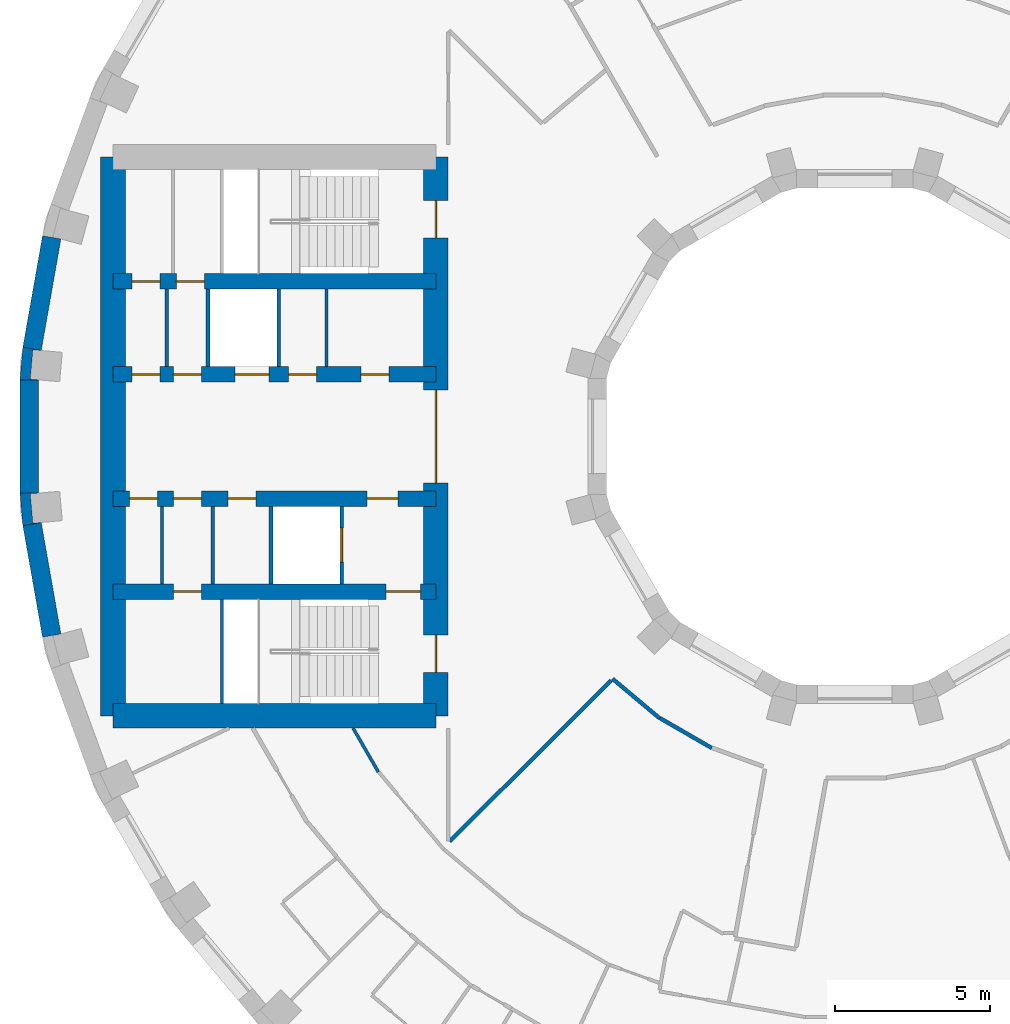
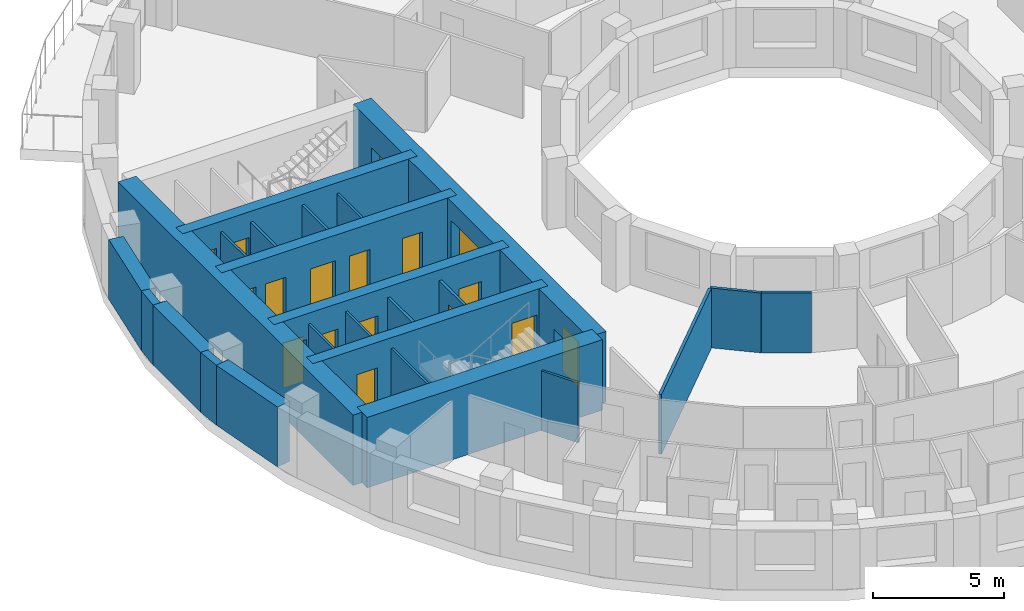
# One storey, part 6 of 14: 25 walls, 17 doors, 17 openings.
"""IFC4 building model written with IfcOpenShell, lengths in metres."""

from ifc_helpers import new_model, si_unit, direction, frame, frame_2d, origin, place, context, subcontext, project, spatial, polyline, rectangle, outline, extrude, material, layer, layer_set, type_object, element, fill, save


model = new_model("IFC4")

# Units and contexts
model_context = context("Model", 3, precision=1e-05, world=origin(), true_north=direction((0.0, 1.0)))
body_context = subcontext(model_context, "Body", "Model", "MODEL_VIEW")
ifc_project = project(units=[si_unit("LENGTHUNIT", "METRE"), si_unit("AREAUNIT", "SQUARE_METRE"), si_unit("VOLUMEUNIT", "CUBIC_METRE"), si_unit("PLANEANGLEUNIT", "RADIAN"), si_unit("MASSUNIT", "GRAM", prefix="KILO")], contexts=[model_context])

# Site, building, storey
site_placement = place(None, origin())
site = spatial("IfcSite", under=ifc_project, at=site_placement, CompositionType="ELEMENT")
building_placement = place(site_placement, origin())
building = spatial("IfcBuilding", under=site, at=building_placement, Name="Saqina Gate Tower", CompositionType="ELEMENT")
storey_placement = place(building_placement, frame((0.0, 0.0, 91.89990234375)))
storey = spatial("IfcBuildingStorey", under=building, at=storey_placement, Name="L25", CompositionType="ELEMENT", Elevation=91.89990234375)

# Walls
ifc_material_1 = material(Name="Brick masonry (buff)", Category="masonry")
wall_type_1 = type_object("IfcWallType", Name="BRICK PIER COPING BUFF", PredefinedType="SOLIDWALL", material=ifc_material_1)
wall_1_placement = place(storey_placement, origin())
element("IfcWall", 1, at=wall_1_placement, inside=storey, type_object=wall_type_1, Name="Pier cap L25 column 18", PredefinedType="SOLIDWALL", context=body_context, shape_type="SweptSolid", body=[
    extrude(outline(polyline([(-26.805419921875, 2.87451171875), (-26.897216796875, 1.823974609375), (-26.29736328125, 1.823974609375), (-26.565185546875, 1.847412109375), (-26.482421875, 2.793701171875), (-26.214599609375, 2.770263671875), (-26.805419921875, 2.87451171875)])), origin(), (0.0, 0.0, 1.0), 2.800048828125),
])
wall_2_placement = place(storey_placement, origin())
element("IfcWall", 2, at=wall_2_placement, inside=storey, type_object=wall_type_1, Name="Pier cap L25 column 19", PredefinedType="SOLIDWALL", context=body_context, shape_type="SweptSolid", body=[
    extrude(outline(polyline([(-26.805419921875, -2.87451171875), (-26.214599609375, -2.770263671875), (-26.482421875, -2.793701171875), (-26.565185546875, -1.847412109375), (-26.29736328125, -1.823974609375), (-26.897216796875, -1.823974609375), (-26.805419921875, -2.87451171875)])), origin(), (0.0, 0.0, 1.0), 2.800048828125),
])
ifc_material_2 = material(Name="Gypsum board on steel studs", Category="steel")
ifc_layer_1 = layer(ifc_material_2, 0.10009765625)
ifc_layer_set_1 = layer_set([ifc_layer_1], Name="CORE PARTITION")
wall_type_2 = type_object("IfcWallType", Name="CORE PARTITION", PredefinedType="PARTITIONING", material=ifc_layer_set_1)
for number, where, z_axis, x_axis, name in (
    (3, (-17.022216796875, 2.25, 0.0), (0.0, 0.0, 1.0), (0.0, 1.0, 0.0), "L25-CP-W01"),
    (4, (-22.169921875, 2.25, 0.0), (0.0, 0.0, 1.0), (0.0, 1.0, 0.0), "L25-CP-W04"),
    (5, (-20.68603515625, -4.75, 0.0), (0.0, 0.0, 1.0), (0.0, 1.0, 0.0), "L25-CP-W07"),
    (6, (-22.327392578125, -4.75, 0.0), (0.0, 0.0, 1.0), (0.0, 1.0, 0.0), "L25-CP-W08"),
):
    element("IfcWall", number, at=place(storey_placement, frame(where, z_axis=z_axis, x_axis=x_axis)), inside=storey, type_object=wall_type_2, Name=name, PredefinedType="PARTITIONING", context=body_context, shape_type="SweptSolid", body=[
        extrude(rectangle(XDim=2.5, YDim=0.10009765625, at=frame_2d((1.25, 0.0))), origin(), (0.0, 0.0, 1.0), 2.800048828125),
    ])
ifc_material_3 = material(Name="Glazed ceramic tile", Category="ceramic")
ifc_layer_2 = layer(ifc_material_3, 0.60009765625)
ifc_layer_set_2 = layer_set([ifc_layer_2], Name="FW-TILE")
wall_type_3 = type_object("IfcWallType", Name="FW-TILE", PredefinedType="SOLIDWALL", material=ifc_layer_set_2)
wall_3_placement = place(storey_placement, frame((-26.59716796875, 1.823974609375, 0.0), z_axis=(0.0, 0.0, 1.0), x_axis=(0.0, -1.0, 0.0)))
element("IfcWall", 7, at=wall_3_placement, inside=storey, type_object=wall_type_3, Name="Facade wall L25 facet 18", PredefinedType="SOLIDWALL", context=body_context, shape_type="SweptSolid", body=[
    extrude(rectangle(XDim=3.64794921875, YDim=0.60009765625, at=frame_2d((1.823974609375, 0.0))), origin(), (0.0, 0.0, 1.0), 2.800048828125),
])
ifc_material_4 = material(Name="Glazed ceramic tile (dark blue)", Category="ceramic")
ifc_layer_3 = layer(ifc_material_4, 0.60009765625)
ifc_layer_set_3 = layer_set([ifc_layer_3], Name="FW-TILE-CB")
wall_type_4 = type_object("IfcWallType", Name="FW-TILE-CB", PredefinedType="SOLIDWALL", material=ifc_layer_set_3)
wall_4_placement = place(storey_placement, frame((-25.87646484375, 6.414794921875, 0.0), z_axis=(0.0, 0.0, 1.0), x_axis=(-0.173670796382, -0.984803764455, 0.0)))
element("IfcWall", 8, at=wall_4_placement, inside=storey, type_object=wall_type_4, Name="Facade wall L25 facet 17", PredefinedType="SOLIDWALL", context=body_context, shape_type="SweptSolid", body=[
    extrude(rectangle(XDim=3.64794921875, YDim=0.60009765625, at=frame_2d((1.823974609375, 0.0))), origin(), (0.0, 0.0, 1.0), 2.800048828125),
])
ifc_material_5 = material(Name="Glazed ceramic tile (white)", Category="ceramic")
ifc_layer_4 = layer(ifc_material_5, 0.60009765625)
ifc_layer_set_4 = layer_set([ifc_layer_4], Name="FW-TILE-WH")
wall_type_5 = type_object("IfcWallType", Name="FW-TILE-WH", PredefinedType="SOLIDWALL", material=ifc_layer_set_4)
wall_5_placement = place(storey_placement, frame((-26.510009765625, -2.822265625, 0.0), z_axis=(0.0, 0.0, 1.0), x_axis=(0.173670796382, -0.984803764455, 0.0)))
element("IfcWall", 9, at=wall_5_placement, inside=storey, type_object=wall_type_5, Name="Facade wall L25 facet 19", PredefinedType="SOLIDWALL", context=body_context, shape_type="SweptSolid", body=[
    extrude(rectangle(XDim=3.64794921875, YDim=0.60009765625, at=frame_2d((1.823974609375, 0.0))), origin(), (0.0, 0.0, 1.0), 2.800048828125),
])
ifc_material_6 = material(Name="Gypsum board on steel studs, 100 mm", Category="steel")
ifc_layer_5 = layer(ifc_material_6, 0.10009765625)
ifc_layer_set_5 = layer_set([ifc_layer_5], Name="PARTITION 100")
wall_type_6 = type_object("IfcWallType", Name="PARTITION 100", PredefinedType="PARTITIONING", material=ifc_layer_set_5)
wall_6_placement = place(storey_placement, frame((-16.1640625, -9.39990234375, 0.0), z_axis=(0.0, 0.0, 1.0), x_axis=(0.499687832671, -0.866205558676, 0.0)))
element("IfcWall", 10, at=wall_6_placement, inside=storey, type_object=wall_type_6, Name="PARTITION PW3-10", PredefinedType="PARTITIONING", context=body_context, shape_type="SweptSolid", body=[
    extrude(rectangle(XDim=1.6279296875, YDim=0.10009765625, at=frame_2d((0.81396484375, 0.0))), origin(), (0.0, 0.0, 1.0), 2.800048828125),
])
ifc_material_7 = material(Name="Gypsum board on steel studs, 125 mm, fire rated", Category="steel")
ifc_layer_6 = layer(ifc_material_7, 0.125)
ifc_layer_set_6 = layer_set([ifc_layer_6], Name="PARTITION EI 30 125")
wall_type_7 = type_object("IfcWallType", Name="PARTITION EI 30 125", PredefinedType="PARTITIONING", material=ifc_layer_set_6)
wall_7_placement = place(storey_placement, frame((-7.806884765625, -7.805908203125, 0.0), z_axis=(0.0, 0.0, 1.0), x_axis=(0.766164240715, -0.642644813446, 0.0)))
element("IfcWall", 11, at=wall_7_placement, inside=storey, type_object=wall_type_7, Name="PARTITION PW1-12", PredefinedType="PARTITIONING", context=body_context, shape_type="SweptSolid", body=[
    extrude(rectangle(XDim=1.98828125, YDim=0.125, at=frame_2d((0.994140625, 0.0))), origin(), (0.0, 0.0, 1.0), 2.800048828125),
])
wall_8_placement = place(storey_placement, frame((-6.27783203125, -9.07421875, 0.0), z_axis=(0.0, 0.0, 1.0), x_axis=(0.865970077019, -0.500095816526, 0.0)))
element("IfcWall", 12, at=wall_8_placement, inside=storey, type_object=wall_type_7, Name="PARTITION PW1-16", PredefinedType="PARTITIONING", context=body_context, shape_type="SweptSolid", body=[
    extrude(rectangle(XDim=1.92431640625, YDim=0.125, at=frame_2d((0.962158203125, 0.0))), origin(), (0.0, 0.0, 1.0), 2.800048828125),
])
wall_9_placement = place(storey_placement, frame((-13.056640625, -13.048828125, 0.0), z_axis=(0.0, 0.0, 1.0), x_axis=(0.708367099834, 0.705844212183, 0.0)))
element("IfcWall", 13, at=wall_9_placement, inside=storey, type_object=wall_type_7, Name="PARTITION PW1-43", PredefinedType="PARTITIONING", context=body_context, shape_type="SweptSolid", body=[
    extrude(rectangle(XDim=7.3544921875, YDim=0.125, at=frame_2d((3.67724609375, 0.0))), origin(), (0.0, 0.0, 1.0), 2.800048828125),
])
ifc_material_8 = material(Name="Autoclaved aerated concrete block", Category="concrete")
ifc_layer_7 = layer(ifc_material_8, 0.1201171875)
ifc_layer_set_7 = layer_set([ifc_layer_7], Name="SHAFT PARTITION")
wall_type_8 = type_object("IfcWallType", Name="SHAFT PARTITION", PredefinedType="PARTITIONING", material=ifc_layer_set_7)
for number, where, z_axis, x_axis, name in (
    (14, (-18.56005859375, 2.25, 0.0), (0.0, 0.0, 1.0), (0.0, 1.0, 0.0), "L25-CP-W02"),
    (15, (-20.840087890625, 2.25, 0.0), (0.0, 0.0, 1.0), (0.0, 1.0, 0.0), "L25-CP-W03"),
):
    element("IfcWall", number, at=place(storey_placement, frame(where, z_axis=z_axis, x_axis=x_axis)), inside=storey, type_object=wall_type_8, Name=name, PredefinedType="PARTITIONING", context=body_context, shape_type="SweptSolid", body=[
        extrude(rectangle(XDim=2.5, YDim=0.1201171875, at=frame_2d((1.25, 0.0))), origin(), (0.0, 0.0, 1.0), 2.800048828125),
    ])

# Wall, opening, door
wall_10_placement = place(storey_placement, frame((-16.530029296875, -4.75, 0.0), z_axis=(0.0, 0.0, 1.0), x_axis=(0.0, 1.0, 0.0)))
wall_10 = element("IfcWall", 16, at=wall_10_placement, inside=storey, type_object=wall_type_8, Name="L25-CP-W05", PredefinedType="PARTITIONING", context=body_context, shape_type="SweptSolid", body=[
    extrude(rectangle(XDim=2.5, YDim=0.1201171875, at=frame_2d((1.25, 0.0))), origin(), (0.0, 0.0, 1.0), 2.800048828125),
])
opening_1_placement = place(wall_10_placement, frame((0.699951171875, 0.0, 0.0)))
opening_1 = element("IfcOpeningElement", 17, at=opening_1_placement, cuts=wall_10, Name="Opening G07-LD4", PredefinedType="OPENING", context=body_context, shape_type="SweptSolid", body=[
    extrude(rectangle(XDim=1.10009765625, YDim=2.10009765625, at=frame_2d((0.550048828125, 1.050048828125))), frame((0.0, 0.072021484375, 0.0), z_axis=(0.0, -1.0, 0.0), x_axis=(1.0, 0.0, 0.0)), (0.0, 0.0, 1.0), 0.14404296875),
])
ifc_material_9 = material(Name="Stainless steel", Category="steel")
door_type_1 = type_object("IfcDoorType", Name="LANDING DOOR", OperationType="DOUBLE_DOOR_SLIDING", PredefinedType="DOOR", material=ifc_material_9)
door_1_placement = place(opening_1_placement, origin())
door_1 = element("IfcDoor", 18, at=door_1_placement, inside=storey, type_object=door_type_1, Name="LANDING DOOR FF2", OperationType="DOUBLE_DOOR_SLIDING", OverallHeight=2.10009765625, OverallWidth=1.10009765625, PredefinedType="DOOR", context=body_context, shape_type="SweptSolid", body=[
    extrude(rectangle(XDim=1.10009765625, YDim=2.10009765625, at=frame_2d((0.550048828125, 1.050048828125))), frame((0.0, 0.02490234375, 0.0), z_axis=(0.0, -1.0, 0.0), x_axis=(1.0, 0.0, 0.0)), (0.0, 0.0, 1.0), 0.050048828125),
])
fill(opening_1, door_1)

# Walls
wall_11_placement = place(storey_placement, frame((-18.81005859375, -4.75, 0.0), z_axis=(0.0, 0.0, 1.0), x_axis=(0.0, 1.0, 0.0)))
element("IfcWall", 19, at=wall_11_placement, inside=storey, type_object=wall_type_8, Name="L25-CP-W06", PredefinedType="PARTITIONING", context=body_context, shape_type="SweptSolid", body=[
    extrude(rectangle(XDim=2.5, YDim=0.1201171875, at=frame_2d((1.25, 0.0))), origin(), (0.0, 0.0, 1.0), 2.800048828125),
])
ifc_material_10 = material(Name="Autoclaved aerated concrete block", Category="concrete")
ifc_layer_8 = layer(ifc_material_10, 0.10009765625)
ifc_layer_set_8 = layer_set([ifc_layer_8], Name="STAIR ENCLOSURE WALL")
wall_type_9 = type_object("IfcWallType", Name="STAIR ENCLOSURE WALL", PredefinedType="PARTITIONING", material=ifc_layer_set_8)
wall_12_placement = place(storey_placement, frame((-20.389892578125, -8.60009765625, 0.0), z_axis=(0.0, 0.0, 1.0), x_axis=(0.0, 1.0, 0.0)))
element("IfcWall", 20, at=wall_12_placement, inside=storey, type_object=wall_type_9, Name="L25-CP-W11", PredefinedType="PARTITIONING", context=body_context, shape_type="SweptSolid", body=[
    extrude(rectangle(XDim=3.35009765625, YDim=0.10009765625, at=frame_2d((1.675048828125, 0.0))), origin(), (0.0, 0.0, 1.0), 2.800048828125),
])

# Wall, openings, doors
ifc_material_11 = material(Name="Concrete C70/85", Category="concrete")
ifc_layer_9 = layer(ifc_material_11, 0.5)
ifc_layer_set_9 = layer_set([ifc_layer_9], Name="Concrete C70/85")
wall_type_10 = type_object("IfcWallType", Name="STR-CORE WALL-B-I", PredefinedType="SHEAR", material=ifc_layer_set_9)
wall_13_placement = place(storey_placement, frame((-13.5, 5.0, 0.0), z_axis=(0.0, 0.0, 1.0), x_axis=(-1.0, 0.0, 0.0)))
wall_13 = element("IfcWall", 21, at=wall_13_placement, inside=storey, type_object=wall_type_10, Name="CORE WALL L25 W-X1", PredefinedType="SHEAR", context=body_context, shape_type="SweptSolid", body=[
    extrude(rectangle(XDim=10.39990234375, YDim=0.5, at=frame_2d((5.199951171875, 0.0))), origin(), (0.0, 0.0, 1.0), 3.300048828125),
])
opening_2_placement = place(wall_13_placement, frame((7.455078125, 0.0, 0.0)))
opening_2 = element("IfcOpeningElement", 22, at=opening_2_placement, cuts=wall_13, Name="Opening G07-D113", PredefinedType="OPENING", context=body_context, shape_type="SweptSolid", body=[
    extrude(rectangle(XDim=0.89990234375, YDim=2.10009765625, at=frame_2d((0.449951171875, 1.050048828125))), frame((0.0, 0.261962890625, 0.0), z_axis=(0.0, -1.0, 0.0), x_axis=(1.0, 0.0, 0.0)), (0.0, 0.0, 1.0), 0.52392578125),
])
opening_3_placement = place(wall_13_placement, frame((8.885009765625, 0.0, 0.0)))
opening_3 = element("IfcOpeningElement", 23, at=opening_3_placement, cuts=wall_13, Name="Opening G07-D114", PredefinedType="OPENING", context=body_context, shape_type="SweptSolid", body=[
    extrude(rectangle(XDim=0.89990234375, YDim=2.10009765625, at=frame_2d((0.449951171875, 1.050048828125))), frame((0.0, 0.261962890625, 0.0), z_axis=(0.0, -1.0, 0.0), x_axis=(1.0, 0.0, 0.0)), (0.0, 0.0, 1.0), 0.52392578125),
])
ifc_material_12 = material(Name="Steel-framed fire door leaf, EI 60", Category="steel")
door_type_2 = type_object("IfcDoorType", Name="SERVICE ROOM DOOR 900", OperationType="SINGLE_SWING_LEFT", PredefinedType="DOOR", material=ifc_material_12)
door_2_placement = place(opening_2_placement, frame((0.89990234375, 0.0, 0.0), z_axis=(0.0, 0.0, 1.0), x_axis=(-1.0, 0.0, 0.0)))
door_2 = element("IfcDoor", 24, at=door_2_placement, inside=storey, type_object=door_type_2, Name="L25-CD-W24", OperationType="SINGLE_SWING_LEFT", OverallHeight=2.10009765625, OverallWidth=0.89990234375, PredefinedType="DOOR", context=body_context, shape_type="SweptSolid", body=[
    extrude(rectangle(XDim=0.89990234375, YDim=2.10009765625, at=frame_2d((0.449951171875, 1.050048828125))), frame((0.0, 0.02490234375, 0.0), z_axis=(0.0, -1.0, 0.0), x_axis=(1.0, 0.0, 0.0)), (0.0, 0.0, 1.0), 0.050048828125),
])
fill(opening_2, door_2)
door_3_placement = place(opening_3_placement, frame((0.89990234375, 0.0, 0.0), z_axis=(0.0, 0.0, 1.0), x_axis=(-1.0, 0.0, 0.0)))
door_3 = element("IfcDoor", 25, at=door_3_placement, inside=storey, type_object=door_type_2, Name="L25-CD-W25", OperationType="SINGLE_SWING_LEFT", OverallHeight=2.10009765625, OverallWidth=0.89990234375, PredefinedType="DOOR", context=body_context, shape_type="SweptSolid", body=[
    extrude(rectangle(XDim=0.89990234375, YDim=2.10009765625, at=frame_2d((0.449951171875, 1.050048828125))), frame((0.0, 0.02490234375, 0.0), z_axis=(0.0, -1.0, 0.0), x_axis=(1.0, 0.0, 0.0)), (0.0, 0.0, 1.0), 0.050048828125),
])
fill(opening_3, door_3)

wall_14_placement = place(storey_placement, frame((-13.5, -5.0, 0.0), z_axis=(0.0, 0.0, 1.0), x_axis=(-1.0, 0.0, 0.0)))
wall_14 = element("IfcWall", 26, at=wall_14_placement, inside=storey, type_object=wall_type_10, Name="CORE WALL L25 W-X2", PredefinedType="SHEAR", context=body_context, shape_type="SweptSolid", body=[
    extrude(rectangle(XDim=10.39990234375, YDim=0.5, at=frame_2d((5.199951171875, 0.0))), origin(), (0.0, 0.0, 1.0), 3.300048828125),
])
opening_4_placement = place(wall_14_placement, frame((7.556640625, 0.0, 0.0)))
opening_4 = element("IfcOpeningElement", 27, at=opening_4_placement, cuts=wall_14, Name="Opening G07-D115", PredefinedType="OPENING", context=body_context, shape_type="SweptSolid", body=[
    extrude(rectangle(XDim=0.89990234375, YDim=2.10009765625, at=frame_2d((0.449951171875, 1.050048828125))), frame((0.0, 0.261962890625, 0.0), z_axis=(0.0, -1.0, 0.0), x_axis=(1.0, 0.0, 0.0)), (0.0, 0.0, 1.0), 0.52392578125),
])
opening_5_placement = place(wall_14_placement, frame((0.5, 0.0, 0.0)))
opening_5 = element("IfcOpeningElement", 28, at=opening_5_placement, cuts=wall_14, Name="Opening G07-D116", PredefinedType="OPENING", context=body_context, shape_type="SweptSolid", body=[
    extrude(rectangle(XDim=1.10009765625, YDim=2.10009765625, at=frame_2d((0.550048828125, 1.050048828125))), frame((0.0, 0.261962890625, 0.0), z_axis=(0.0, -1.0, 0.0), x_axis=(1.0, 0.0, 0.0)), (0.0, 0.0, 1.0), 0.52392578125),
])
ifc_material_13 = material(Name="Steel", Category="steel")
door_type_3 = type_object("IfcDoorType", Name="FIRE LOBBY DOOR EI 60 WIDE", OperationType="SINGLE_SWING_LEFT", PredefinedType="DOOR", material=ifc_material_13)
door_4_placement = place(opening_5_placement, origin())
door_4 = element("IfcDoor", 29, at=door_4_placement, inside=storey, type_object=door_type_3, Name="L25-CD-W27", OperationType="SINGLE_SWING_LEFT", OverallHeight=2.10009765625, OverallWidth=1.10009765625, PredefinedType="DOOR", context=body_context, shape_type="SweptSolid", body=[
    extrude(rectangle(XDim=1.10009765625, YDim=2.10009765625, at=frame_2d((0.550048828125, 1.050048828125))), frame((0.0, 0.02490234375, 0.0), z_axis=(0.0, -1.0, 0.0), x_axis=(1.0, 0.0, 0.0)), (0.0, 0.0, 1.0), 0.050048828125),
])
fill(opening_5, door_4)
door_5_placement = place(opening_4_placement, origin())
door_5 = element("IfcDoor", 30, at=door_5_placement, inside=storey, type_object=door_type_2, Name="L25-CD-W26", OperationType="SINGLE_SWING_RIGHT", OverallHeight=2.10009765625, OverallWidth=0.89990234375, PredefinedType="DOOR", context=body_context, shape_type="SweptSolid", body=[
    extrude(rectangle(XDim=0.89990234375, YDim=2.10009765625, at=frame_2d((0.449951171875, 1.050048828125))), frame((0.0, 0.02490234375, 0.0), z_axis=(0.0, -1.0, 0.0), x_axis=(1.0, 0.0, 0.0)), (0.0, 0.0, 1.0), 0.050048828125),
])
fill(opening_4, door_5)

wall_15_placement = place(storey_placement, frame((-13.5, 2.0, 0.0), z_axis=(0.0, 0.0, 1.0), x_axis=(-1.0, 0.0, 0.0)))
wall_15 = element("IfcWall", 31, at=wall_15_placement, inside=storey, type_object=wall_type_10, Name="CORE WALL L25 W-L1", PredefinedType="SHEAR", context=body_context, shape_type="SweptSolid", body=[
    extrude(rectangle(XDim=10.39990234375, YDim=0.5, at=frame_2d((5.199951171875, 0.0))), origin(), (0.0, 0.0, 1.0), 3.300048828125),
])
opening_6_placement = place(wall_15_placement, frame((5.3701171875, 0.0, 0.0)))
opening_6 = element("IfcOpeningElement", 32, at=opening_6_placement, cuts=wall_15, Name="Opening G07-LD3", PredefinedType="OPENING", context=body_context, shape_type="SweptSolid", body=[
    extrude(rectangle(XDim=1.10009765625, YDim=2.10009765625, at=frame_2d((0.550048828125, 1.050048828125))), frame((0.0, 0.261962890625, 0.0), z_axis=(0.0, -1.0, 0.0), x_axis=(1.0, 0.0, 0.0)), (0.0, 0.0, 1.0), 0.52392578125),
])
opening_7_placement = place(wall_15_placement, frame((1.510986328125, 0.0, 0.0)))
opening_7 = element("IfcOpeningElement", 33, at=opening_7_placement, cuts=wall_15, Name="Opening G07-D105", PredefinedType="OPENING", context=body_context, shape_type="SweptSolid", body=[
    extrude(rectangle(XDim=0.89990234375, YDim=2.10009765625, at=frame_2d((0.449951171875, 1.050048828125))), frame((0.0, 0.261962890625, 0.0), z_axis=(0.0, -1.0, 0.0), x_axis=(1.0, 0.0, 0.0)), (0.0, 0.0, 1.0), 0.52392578125),
])
opening_8_placement = place(wall_15_placement, frame((3.841064453125, 0.0, 0.0)))
opening_8 = element("IfcOpeningElement", 34, at=opening_8_placement, cuts=wall_15, Name="Opening G07-D106", PredefinedType="OPENING", context=body_context, shape_type="SweptSolid", body=[
    extrude(rectangle(XDim=0.89990234375, YDim=2.10009765625, at=frame_2d((0.449951171875, 1.050048828125))), frame((0.0, 0.261962890625, 0.0), z_axis=(0.0, -1.0, 0.0), x_axis=(1.0, 0.0, 0.0)), (0.0, 0.0, 1.0), 0.52392578125),
])
opening_9_placement = place(wall_15_placement, frame((7.554931640625, 0.0, 0.0)))
opening_9 = element("IfcOpeningElement", 35, at=opening_9_placement, cuts=wall_15, Name="Opening G07-D107", PredefinedType="OPENING", context=body_context, shape_type="SweptSolid", body=[
    extrude(rectangle(XDim=0.89990234375, YDim=2.10009765625, at=frame_2d((0.449951171875, 1.050048828125))), frame((0.0, 0.261962890625, 0.0), z_axis=(0.0, -1.0, 0.0), x_axis=(1.0, 0.0, 0.0)), (0.0, 0.0, 1.0), 0.52392578125),
])
opening_10_placement = place(wall_15_placement, frame((8.885009765625, 0.0, 0.0)))
opening_10 = element("IfcOpeningElement", 36, at=opening_10_placement, cuts=wall_15, Name="Opening G07-D108", PredefinedType="OPENING", context=body_context, shape_type="SweptSolid", body=[
    extrude(rectangle(XDim=0.89990234375, YDim=2.10009765625, at=frame_2d((0.449951171875, 1.050048828125))), frame((0.0, 0.261962890625, 0.0), z_axis=(0.0, -1.0, 0.0), x_axis=(1.0, 0.0, 0.0)), (0.0, 0.0, 1.0), 0.52392578125),
])
door_6_placement = place(opening_6_placement, origin())
door_6 = element("IfcDoor", 37, at=door_6_placement, inside=storey, type_object=door_type_1, Name="LANDING DOOR MR2", OperationType="DOUBLE_DOOR_SLIDING", OverallHeight=2.10009765625, OverallWidth=1.10009765625, PredefinedType="DOOR", context=body_context, shape_type="SweptSolid", body=[
    extrude(rectangle(XDim=1.10009765625, YDim=2.10009765625, at=frame_2d((0.550048828125, 1.050048828125))), frame((0.0, 0.02490234375, 0.0), z_axis=(0.0, -1.0, 0.0), x_axis=(1.0, 0.0, 0.0)), (0.0, 0.0, 1.0), 0.050048828125),
])
fill(opening_6, door_6)
door_7_placement = place(opening_7_placement, frame((0.89990234375, 0.0, 0.0), z_axis=(0.0, 0.0, 1.0), x_axis=(-1.0, 0.0, 0.0)))
door_7 = element("IfcDoor", 38, at=door_7_placement, inside=storey, type_object=door_type_2, Name="L25-CD-W16", OperationType="SINGLE_SWING_RIGHT", OverallHeight=2.10009765625, OverallWidth=0.89990234375, PredefinedType="DOOR", context=body_context, shape_type="SweptSolid", body=[
    extrude(rectangle(XDim=0.89990234375, YDim=2.10009765625, at=frame_2d((0.449951171875, 1.050048828125))), frame((0.0, 0.02490234375, 0.0), z_axis=(0.0, -1.0, 0.0), x_axis=(1.0, 0.0, 0.0)), (0.0, 0.0, 1.0), 0.050048828125),
])
fill(opening_7, door_7)
door_8_placement = place(opening_8_placement, frame((0.89990234375, 0.0, 0.0), z_axis=(0.0, 0.0, 1.0), x_axis=(-1.0, 0.0, 0.0)))
door_8 = element("IfcDoor", 39, at=door_8_placement, inside=storey, type_object=door_type_2, Name="L25-CD-W17", OperationType="SINGLE_SWING_LEFT", OverallHeight=2.10009765625, OverallWidth=0.89990234375, PredefinedType="DOOR", context=body_context, shape_type="SweptSolid", body=[
    extrude(rectangle(XDim=0.89990234375, YDim=2.10009765625, at=frame_2d((0.449951171875, 1.050048828125))), frame((0.0, 0.02490234375, 0.0), z_axis=(0.0, -1.0, 0.0), x_axis=(1.0, 0.0, 0.0)), (0.0, 0.0, 1.0), 0.050048828125),
])
fill(opening_8, door_8)
door_9_placement = place(opening_9_placement, frame((0.89990234375, 0.0, 0.0), z_axis=(0.0, 0.0, 1.0), x_axis=(-1.0, 0.0, 0.0)))
door_9 = element("IfcDoor", 40, at=door_9_placement, inside=storey, type_object=door_type_2, Name="L25-CD-W18", OperationType="SINGLE_SWING_RIGHT", OverallHeight=2.10009765625, OverallWidth=0.89990234375, PredefinedType="DOOR", context=body_context, shape_type="SweptSolid", body=[
    extrude(rectangle(XDim=0.89990234375, YDim=2.10009765625, at=frame_2d((0.449951171875, 1.050048828125))), frame((0.0, 0.02490234375, 0.0), z_axis=(0.0, -1.0, 0.0), x_axis=(1.0, 0.0, 0.0)), (0.0, 0.0, 1.0), 0.050048828125),
])
fill(opening_9, door_9)
door_10_placement = place(opening_10_placement, frame((0.89990234375, 0.0, 0.0), z_axis=(0.0, 0.0, 1.0), x_axis=(-1.0, 0.0, 0.0)))
door_10 = element("IfcDoor", 41, at=door_10_placement, inside=storey, type_object=door_type_2, Name="L25-CD-W19", OperationType="SINGLE_SWING_LEFT", OverallHeight=2.10009765625, OverallWidth=0.89990234375, PredefinedType="DOOR", context=body_context, shape_type="SweptSolid", body=[
    extrude(rectangle(XDim=0.89990234375, YDim=2.10009765625, at=frame_2d((0.449951171875, 1.050048828125))), frame((0.0, 0.02490234375, 0.0), z_axis=(0.0, -1.0, 0.0), x_axis=(1.0, 0.0, 0.0)), (0.0, 0.0, 1.0), 0.050048828125),
])
fill(opening_10, door_10)

wall_16_placement = place(storey_placement, frame((-13.5, -2.0, 0.0), z_axis=(0.0, 0.0, 1.0), x_axis=(-1.0, 0.0, 0.0)))
wall_16 = element("IfcWall", 42, at=wall_16_placement, inside=storey, type_object=wall_type_10, Name="CORE WALL L25 W-L2", PredefinedType="SHEAR", context=body_context, shape_type="SweptSolid", body=[
    extrude(rectangle(XDim=10.39990234375, YDim=0.5, at=frame_2d((5.199951171875, 0.0))), origin(), (0.0, 0.0, 1.0), 3.300048828125),
])
opening_11_placement = place(wall_16_placement, frame((1.215087890625, 0.0, 0.0)))
opening_11 = element("IfcOpeningElement", 43, at=opening_11_placement, cuts=wall_16, Name="Opening G07-D109", PredefinedType="OPENING", context=body_context, shape_type="SweptSolid", body=[
    extrude(rectangle(XDim=1.0, YDim=2.10009765625, at=frame_2d((0.5, 1.050048828125))), frame((0.0, 0.261962890625, 0.0), z_axis=(0.0, -1.0, 0.0), x_axis=(1.0, 0.0, 0.0)), (0.0, 0.0, 1.0), 0.52392578125),
])
opening_12_placement = place(wall_16_placement, frame((5.798095703125, 0.0, 0.0)))
opening_12 = element("IfcOpeningElement", 44, at=opening_12_placement, cuts=wall_16, Name="Opening G07-D110", PredefinedType="OPENING", context=body_context, shape_type="SweptSolid", body=[
    extrude(rectangle(XDim=0.89990234375, YDim=2.10009765625, at=frame_2d((0.449951171875, 1.050048828125))), frame((0.0, 0.261962890625, 0.0), z_axis=(0.0, -1.0, 0.0), x_axis=(1.0, 0.0, 0.0)), (0.0, 0.0, 1.0), 0.52392578125),
])
opening_13_placement = place(wall_16_placement, frame((7.556640625, 0.0, 0.0)))
opening_13 = element("IfcOpeningElement", 45, at=opening_13_placement, cuts=wall_16, Name="Opening G07-D111", PredefinedType="OPENING", context=body_context, shape_type="SweptSolid", body=[
    extrude(rectangle(XDim=0.89990234375, YDim=2.10009765625, at=frame_2d((0.449951171875, 1.050048828125))), frame((0.0, 0.261962890625, 0.0), z_axis=(0.0, -1.0, 0.0), x_axis=(1.0, 0.0, 0.0)), (0.0, 0.0, 1.0), 0.52392578125),
])
opening_14_placement = place(wall_16_placement, frame((8.9638671875, 0.0, 0.0)))
opening_14 = element("IfcOpeningElement", 46, at=opening_14_placement, cuts=wall_16, Name="Opening G07-D112", PredefinedType="OPENING", context=body_context, shape_type="SweptSolid", body=[
    extrude(rectangle(XDim=0.89990234375, YDim=2.10009765625, at=frame_2d((0.449951171875, 1.050048828125))), frame((0.0, 0.261962890625, 0.0), z_axis=(0.0, -1.0, 0.0), x_axis=(1.0, 0.0, 0.0)), (0.0, 0.0, 1.0), 0.52392578125),
])
ifc_material_14 = material(Name="Steel", Category="steel")
door_type_4 = type_object("IfcDoorType", Name="FIRE LOBBY DOOR EI 60", OperationType="SINGLE_SWING_LEFT", PredefinedType="DOOR", material=ifc_material_14)
door_11_placement = place(opening_11_placement, frame((1.0, 0.0, 0.0), z_axis=(0.0, 0.0, 1.0), x_axis=(-1.0, 0.0, 0.0)))
door_11 = element("IfcDoor", 47, at=door_11_placement, inside=storey, type_object=door_type_4, Name="L25-CD-W20", OperationType="SINGLE_SWING_RIGHT", OverallHeight=2.10009765625, OverallWidth=1.0, PredefinedType="DOOR", context=body_context, shape_type="SweptSolid", body=[
    extrude(rectangle(XDim=1.0, YDim=2.10009765625, at=frame_2d((0.5, 1.050048828125))), frame((0.0, 0.02490234375, 0.0), z_axis=(0.0, -1.0, 0.0), x_axis=(1.0, 0.0, 0.0)), (0.0, 0.0, 1.0), 0.050048828125),
])
fill(opening_11, door_11)
door_12_placement = place(opening_12_placement, origin())
door_12 = element("IfcDoor", 48, at=door_12_placement, inside=storey, type_object=door_type_2, Name="L25-CD-W21", OperationType="SINGLE_SWING_LEFT", OverallHeight=2.10009765625, OverallWidth=0.89990234375, PredefinedType="DOOR", context=body_context, shape_type="SweptSolid", body=[
    extrude(rectangle(XDim=0.89990234375, YDim=2.10009765625, at=frame_2d((0.449951171875, 1.050048828125))), frame((0.0, 0.02490234375, 0.0), z_axis=(0.0, -1.0, 0.0), x_axis=(1.0, 0.0, 0.0)), (0.0, 0.0, 1.0), 0.050048828125),
])
fill(opening_12, door_12)
door_13_placement = place(opening_13_placement, origin())
door_13 = element("IfcDoor", 49, at=door_13_placement, inside=storey, type_object=door_type_2, Name="L25-CD-W22", OperationType="SINGLE_SWING_RIGHT", OverallHeight=2.10009765625, OverallWidth=0.89990234375, PredefinedType="DOOR", context=body_context, shape_type="SweptSolid", body=[
    extrude(rectangle(XDim=0.89990234375, YDim=2.10009765625, at=frame_2d((0.449951171875, 1.050048828125))), frame((0.0, 0.02490234375, 0.0), z_axis=(0.0, -1.0, 0.0), x_axis=(1.0, 0.0, 0.0)), (0.0, 0.0, 1.0), 0.050048828125),
])
fill(opening_13, door_13)
door_14_placement = place(opening_14_placement, origin())
door_14 = element("IfcDoor", 50, at=door_14_placement, inside=storey, type_object=door_type_2, Name="L25-CD-W23", OperationType="SINGLE_SWING_RIGHT", OverallHeight=2.10009765625, OverallWidth=0.89990234375, PredefinedType="DOOR", context=body_context, shape_type="SweptSolid", body=[
    extrude(rectangle(XDim=0.89990234375, YDim=2.10009765625, at=frame_2d((0.449951171875, 1.050048828125))), frame((0.0, 0.02490234375, 0.0), z_axis=(0.0, -1.0, 0.0), x_axis=(1.0, 0.0, 0.0)), (0.0, 0.0, 1.0), 0.050048828125),
])
fill(opening_14, door_14)

ifc_material_15 = material(Name="Concrete C70/85", Category="concrete")
ifc_layer_10 = layer(ifc_material_15, 0.800048828125)
ifc_layer_set_10 = layer_set([ifc_layer_10], Name="Concrete C70/85")
wall_type_11 = type_object("IfcWallType", Name="STR-CORE WALL-B-O", PredefinedType="SHEAR", material=ifc_layer_set_10)
wall_17_placement = place(storey_placement, frame((-13.5, -9.0, 0.0), z_axis=(0.0, 0.0, 1.0), x_axis=(0.0, 1.0, 0.0)))
wall_17 = element("IfcWall", 51, at=wall_17_placement, inside=storey, type_object=wall_type_11, Name="CORE WALL L25 W-W1", PredefinedType="SHEAR", context=body_context, shape_type="SweptSolid", body=[
    extrude(rectangle(XDim=18.0, YDim=0.800048828125, at=frame_2d((9.0, 0.0))), origin(), (0.0, 0.0, 1.0), 3.300048828125),
])
opening_15_placement = place(wall_17_placement, frame((15.39990234375, 0.0, 0.0)))
opening_15 = element("IfcOpeningElement", 52, at=opening_15_placement, cuts=wall_17, Name="Opening G07-D117", PredefinedType="OPENING", context=body_context, shape_type="SweptSolid", body=[
    extrude(rectangle(XDim=1.199951171875, YDim=2.10009765625, at=frame_2d((0.60009765625, 1.050048828125))), frame((0.0, 0.412109375, 0.0), z_axis=(0.0, -1.0, 0.0), x_axis=(1.0, 0.0, 0.0)), (0.0, 0.0, 1.0), 0.823974609375),
])
opening_16_placement = place(wall_17_placement, frame((1.39990234375, 0.0, 0.0)))
opening_16 = element("IfcOpeningElement", 53, at=opening_16_placement, cuts=wall_17, Name="Opening G07-D118", PredefinedType="OPENING", context=body_context, shape_type="SweptSolid", body=[
    extrude(rectangle(XDim=1.199951171875, YDim=2.10009765625, at=frame_2d((0.60009765625, 1.050048828125))), frame((0.0, 0.412109375, 0.0), z_axis=(0.0, -1.0, 0.0), x_axis=(1.0, 0.0, 0.0)), (0.0, 0.0, 1.0), 0.823974609375),
])
opening_17_placement = place(wall_17_placement, frame((7.5, 0.0, 0.0)))
opening_17 = element("IfcOpeningElement", 54, at=opening_17_placement, cuts=wall_17, Name="Opening G07-D119", PredefinedType="OPENING", context=body_context, shape_type="SweptSolid", body=[
    extrude(rectangle(XDim=3.0, YDim=2.39990234375, at=frame_2d((1.5, 1.199951171875))), frame((0.0, 0.412109375, 0.0), z_axis=(0.0, -1.0, 0.0), x_axis=(1.0, 0.0, 0.0)), (0.0, 0.0, 1.0), 0.823974609375),
])
ifc_material_16 = material(Name="Steel", Category="steel")
door_type_5 = type_object("IfcDoorType", Name="FIRE DOOR EI 60", OperationType="SINGLE_SWING_LEFT", PredefinedType="DOOR", material=ifc_material_16)
door_15_placement = place(opening_15_placement, origin())
door_15 = element("IfcDoor", 55, at=door_15_placement, inside=storey, type_object=door_type_5, Name="L25-CD-W28", OperationType="SINGLE_SWING_RIGHT", OverallHeight=2.10009765625, OverallWidth=1.199951171875, PredefinedType="DOOR", context=body_context, shape_type="SweptSolid", body=[
    extrude(rectangle(XDim=1.199951171875, YDim=2.10009765625, at=frame_2d((0.60009765625, 1.050048828125))), frame((0.0, 0.02490234375, 0.0), z_axis=(0.0, -1.0, 0.0), x_axis=(1.0, 0.0, 0.0)), (0.0, 0.0, 1.0), 0.050048828125),
])
fill(opening_15, door_15)
door_16_placement = place(opening_16_placement, origin())
door_16 = element("IfcDoor", 56, at=door_16_placement, inside=storey, type_object=door_type_5, Name="L25-CD-W29", OperationType="SINGLE_SWING_LEFT", OverallHeight=2.10009765625, OverallWidth=1.199951171875, PredefinedType="DOOR", context=body_context, shape_type="SweptSolid", body=[
    extrude(rectangle(XDim=1.199951171875, YDim=2.10009765625, at=frame_2d((0.60009765625, 1.050048828125))), frame((0.0, 0.02490234375, 0.0), z_axis=(0.0, -1.0, 0.0), x_axis=(1.0, 0.0, 0.0)), (0.0, 0.0, 1.0), 0.050048828125),
])
fill(opening_16, door_16)
ifc_material_17 = material(Name="Steel and fire-resisting glass", Category="steel")
door_type_6 = type_object("IfcDoorType", Name="LOBBY SCREEN DOOR", OperationType="DOUBLE_DOOR_SLIDING", PredefinedType="DOOR", material=ifc_material_17)
door_17_placement = place(opening_17_placement, origin())
door_17 = element("IfcDoor", 57, at=door_17_placement, inside=storey, type_object=door_type_6, Name="L25-CD-W30", OperationType="DOUBLE_DOOR_SLIDING", OverallHeight=2.39990234375, OverallWidth=3.0, PredefinedType="DOOR", context=body_context, shape_type="SweptSolid", body=[
    extrude(rectangle(XDim=3.0, YDim=2.39990234375, at=frame_2d((1.5, 1.199951171875))), frame((0.0, 0.02490234375, 0.0), z_axis=(0.0, -1.0, 0.0), x_axis=(1.0, 0.0, 0.0)), (0.0, 0.0, 1.0), 0.050048828125),
])
fill(opening_17, door_17)

# Walls
wall_18_placement = place(storey_placement, frame((-23.89990234375, -9.0, 0.0), z_axis=(0.0, 0.0, 1.0), x_axis=(0.0, 1.0, 0.0)))
element("IfcWall", 58, at=wall_18_placement, inside=storey, type_object=wall_type_11, Name="CORE WALL L25 W-W2", PredefinedType="SHEAR", context=body_context, shape_type="SweptSolid", body=[
    extrude(rectangle(XDim=18.0, YDim=0.800048828125, at=frame_2d((9.0, 0.0))), origin(), (0.0, 0.0, 1.0), 3.300048828125),
])
wall_19_placement = place(storey_placement, frame((-13.5, -9.0, 0.0), z_axis=(0.0, 0.0, 1.0), x_axis=(-1.0, 0.0, 0.0)))
element("IfcWall", 59, at=wall_19_placement, inside=storey, type_object=wall_type_11, Name="CORE WALL L25 W-SE", PredefinedType="SHEAR", context=body_context, shape_type="SweptSolid", body=[
    extrude(rectangle(XDim=10.39990234375, YDim=0.800048828125, at=frame_2d((5.199951171875, 0.0))), origin(), (0.0, 0.0, 1.0), 3.300048828125),
])

save(model, "model.ifc")
